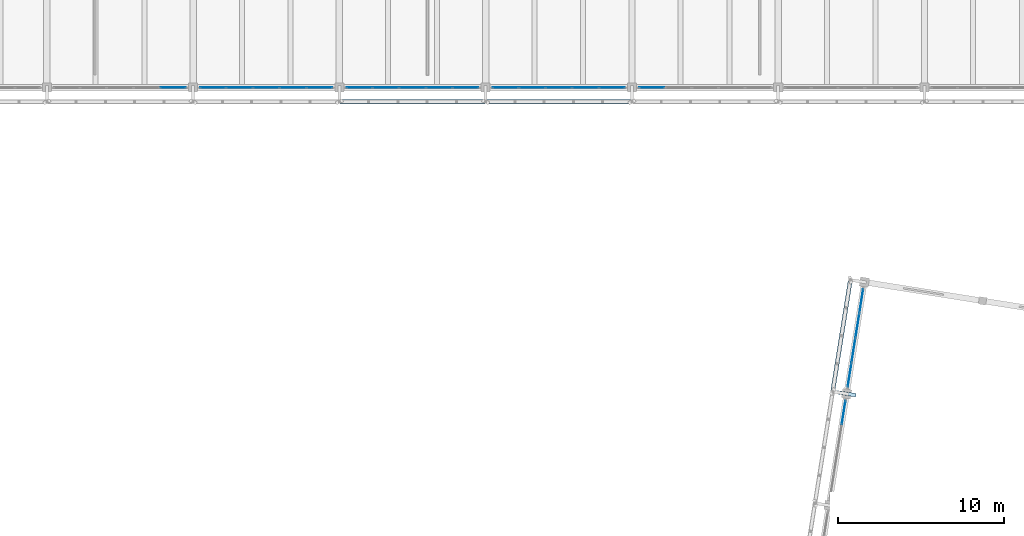
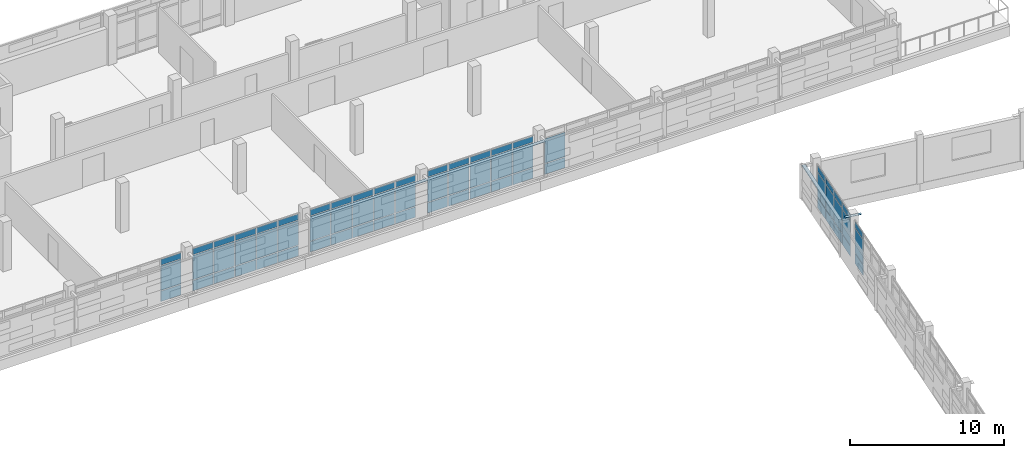
# One storey, part 89 of 117: 69 plates, 7 elements without a shape of their own.
"""IFC4 building model written with IfcOpenShell, lengths in metres."""

from ifc_helpers import new_model, si_unit, direction, frame, origin, origin_2d, place, context, subcontext, project, spatial, rectangle, extrude, material, layer, layer_set, type_object, element, aggregate, save


model = new_model("IFC4")

# Units and contexts
model_context = context("Model", 3, precision=1e-05, world=origin(), true_north=direction((0.0, 1.0)))
body_context = subcontext(model_context, "Body", "Model", "MODEL_VIEW")
ifc_project = project(units=[si_unit("LENGTHUNIT", "METRE"), si_unit("AREAUNIT", "SQUARE_METRE"), si_unit("VOLUMEUNIT", "CUBIC_METRE"), si_unit("PLANEANGLEUNIT", "RADIAN"), si_unit("MASSUNIT", "GRAM", prefix="KILO")], contexts=[model_context])

# Site, building, storey
site_placement = place(None, origin())
site = spatial("IfcSite", under=ifc_project, at=site_placement, CompositionType="ELEMENT")
building_placement = place(site_placement, origin())
building = spatial("IfcBuilding", under=site, at=building_placement, Name="Cinderway Yard Community Centre", CompositionType="ELEMENT")
storey_placement = place(building_placement, frame((0.0, 0.0, 9.0)))
storey = spatial("IfcBuildingStorey", under=building, at=storey_placement, Name="L02", CompositionType="ELEMENT", Elevation=9.0)

# Curtain wall, plates
ifc_material_1 = material(Name="Aluminium 6063-T6", Category="aluminium")
curtain_wall_type_1 = type_object("IfcCurtainWallType", Name="ENV-CW-TYPE-30", PredefinedType="USERDEFINED", material=ifc_material_1)
curtain_wall_1_placement = place(storey_placement, origin())
curtain_wall_1 = element("IfcCurtainWall", 1, at=curtain_wall_1_placement, inside=storey, type_object=curtain_wall_type_1, Name="V4 Courtyard Curtain Wall ENV-CW-L02-ST-0149", ObjectType="GLAZED CURTAIN WALL", PredefinedType="USERDEFINED")
ifc_material_2 = material(Name="Laminated Low-E Glass", Category="glass")
ifc_layer_1 = layer(ifc_material_2, 0.028076171875, Name="Laminated Low-E Glass")
ifc_layer_set_1 = layer_set([ifc_layer_1], Name="Laminated Low-E Glass")
plate_type_1 = type_object("IfcPlateType", Name="ENV-CW-PAN-IGU28", PredefinedType="CURTAIN_PANEL", material=ifc_layer_set_1)
plate_1_placement = place(storey_placement, frame((82.801025390625, 90.0, 0.06005859375), z_axis=(0.0, 0.0, 1.0), x_axis=(1.0, 0.0, 0.0)))
plate_1 = element("IfcPlate", 2, at=plate_1_placement, type_object=plate_type_1, Name="CW-30 panel 5.1", PredefinedType="CURTAIN_PANEL", context=body_context, shape_type="SweptSolid", body=[
    extrude(rectangle(XDim=1.51806640625, YDim=0.028076171875, at=origin_2d()), origin(), (0.0, 0.0, 1.0), 0.81005859375),
])
plate_2_placement = place(storey_placement, frame((82.801025390625, 90.0, 0.929931640625), z_axis=(0.0, 0.0, 1.0), x_axis=(1.0, 0.0, 0.0)))
plate_2 = element("IfcPlate", 3, at=plate_2_placement, type_object=plate_type_1, Name="CW-30 panel 5.2", PredefinedType="CURTAIN_PANEL", context=body_context, shape_type="SweptSolid", body=[
    extrude(rectangle(XDim=1.51806640625, YDim=0.028076171875, at=origin_2d()), origin(), (0.0, 0.0, 1.0), 1.93994140625),
])
plate_3_placement = place(storey_placement, frame((82.801025390625, 90.0, 2.929931640625), z_axis=(0.0, 0.0, 1.0), x_axis=(1.0, 0.0, 0.0)))
plate_3 = element("IfcPlate", 4, at=plate_3_placement, type_object=plate_type_1, Name="CW-30 panel 5.3", PredefinedType="CURTAIN_PANEL", context=body_context, shape_type="SweptSolid", body=[
    extrude(rectangle(XDim=1.51806640625, YDim=0.028076171875, at=origin_2d()), origin(), (0.0, 0.0, 1.0), 0.4599609375),
])
aggregate(curtain_wall_1, [plate_1, plate_2, plate_3])

curtain_wall_2_placement = place(storey_placement, origin())
curtain_wall_2 = element("IfcCurtainWall", 5, at=curtain_wall_2_placement, inside=storey, type_object=curtain_wall_type_1, Name="V4 Courtyard Curtain Wall ENV-CW-L02-ST-0150", ObjectType="GLAZED CURTAIN WALL", PredefinedType="USERDEFINED")
plate_4_placement = place(storey_placement, frame((85.198974609375, 90.0, 0.06005859375), z_axis=(0.0, 0.0, 1.0), x_axis=(1.0, 0.0, 0.0)))
plate_4 = element("IfcPlate", 6, at=plate_4_placement, type_object=plate_type_1, Name="CW-30 panel 1.1", PredefinedType="CURTAIN_PANEL", context=body_context, shape_type="SweptSolid", body=[
    extrude(rectangle(XDim=1.51806640625, YDim=0.028076171875, at=origin_2d()), origin(), (0.0, 0.0, 1.0), 0.81005859375),
])
plate_5_placement = place(storey_placement, frame((85.198974609375, 90.0, 0.929931640625), z_axis=(0.0, 0.0, 1.0), x_axis=(1.0, 0.0, 0.0)))
plate_5 = element("IfcPlate", 7, at=plate_5_placement, type_object=plate_type_1, Name="CW-30 panel 1.2", PredefinedType="CURTAIN_PANEL", context=body_context, shape_type="SweptSolid", body=[
    extrude(rectangle(XDim=1.51806640625, YDim=0.028076171875, at=origin_2d()), origin(), (0.0, 0.0, 1.0), 1.93994140625),
])
plate_6_placement = place(storey_placement, frame((85.198974609375, 90.0, 2.929931640625), z_axis=(0.0, 0.0, 1.0), x_axis=(1.0, 0.0, 0.0)))
plate_6 = element("IfcPlate", 8, at=plate_6_placement, type_object=plate_type_1, Name="CW-30 panel 1.3", PredefinedType="CURTAIN_PANEL", context=body_context, shape_type="SweptSolid", body=[
    extrude(rectangle(XDim=1.51806640625, YDim=0.028076171875, at=origin_2d()), origin(), (0.0, 0.0, 1.0), 0.4599609375),
])
plate_7_placement = place(storey_placement, frame((86.7919921875, 90.0, 0.06005859375), z_axis=(0.0, 0.0, 1.0), x_axis=(1.0, 0.0, 0.0)))
plate_7 = element("IfcPlate", 9, at=plate_7_placement, type_object=plate_type_1, Name="CW-30 panel 2.1", PredefinedType="CURTAIN_PANEL", context=body_context, shape_type="SweptSolid", body=[
    extrude(rectangle(XDim=1.548095703125, YDim=0.028076171875, at=origin_2d()), origin(), (0.0, 0.0, 1.0), 0.81005859375),
])
plate_8_placement = place(storey_placement, frame((86.7919921875, 90.0, 0.929931640625), z_axis=(0.0, 0.0, 1.0), x_axis=(1.0, 0.0, 0.0)))
plate_8 = element("IfcPlate", 10, at=plate_8_placement, type_object=plate_type_1, Name="CW-30 panel 2.2", PredefinedType="CURTAIN_PANEL", context=body_context, shape_type="SweptSolid", body=[
    extrude(rectangle(XDim=1.548095703125, YDim=0.028076171875, at=origin_2d()), origin(), (0.0, 0.0, 1.0), 1.93994140625),
])
plate_9_placement = place(storey_placement, frame((86.7919921875, 90.0, 2.929931640625), z_axis=(0.0, 0.0, 1.0), x_axis=(1.0, 0.0, 0.0)))
plate_9 = element("IfcPlate", 11, at=plate_9_placement, type_object=plate_type_1, Name="CW-30 panel 2.3", PredefinedType="CURTAIN_PANEL", context=body_context, shape_type="SweptSolid", body=[
    extrude(rectangle(XDim=1.548095703125, YDim=0.028076171875, at=origin_2d()), origin(), (0.0, 0.0, 1.0), 0.4599609375),
])
plate_10_placement = place(storey_placement, frame((88.39990234375, 90.0, 0.06005859375), z_axis=(0.0, 0.0, 1.0), x_axis=(1.0, 0.0, 0.0)))
plate_10 = element("IfcPlate", 12, at=plate_10_placement, type_object=plate_type_1, Name="CW-30 panel 3.1", PredefinedType="CURTAIN_PANEL", context=body_context, shape_type="SweptSolid", body=[
    extrude(rectangle(XDim=1.548095703125, YDim=0.028076171875, at=origin_2d()), origin(), (0.0, 0.0, 1.0), 0.81005859375),
])
plate_11_placement = place(storey_placement, frame((88.39990234375, 90.0, 0.929931640625), z_axis=(0.0, 0.0, 1.0), x_axis=(1.0, 0.0, 0.0)))
plate_11 = element("IfcPlate", 13, at=plate_11_placement, type_object=plate_type_1, Name="CW-30 panel 3.2", PredefinedType="CURTAIN_PANEL", context=body_context, shape_type="SweptSolid", body=[
    extrude(rectangle(XDim=1.548095703125, YDim=0.028076171875, at=origin_2d()), origin(), (0.0, 0.0, 1.0), 1.93994140625),
])
plate_12_placement = place(storey_placement, frame((88.39990234375, 90.0, 2.929931640625), z_axis=(0.0, 0.0, 1.0), x_axis=(1.0, 0.0, 0.0)))
plate_12 = element("IfcPlate", 14, at=plate_12_placement, type_object=plate_type_1, Name="CW-30 panel 3.3", PredefinedType="CURTAIN_PANEL", context=body_context, shape_type="SweptSolid", body=[
    extrude(rectangle(XDim=1.548095703125, YDim=0.028076171875, at=origin_2d()), origin(), (0.0, 0.0, 1.0), 0.4599609375),
])
plate_13_placement = place(storey_placement, frame((90.008056640625, 90.0, 0.06005859375), z_axis=(0.0, 0.0, 1.0), x_axis=(1.0, 0.0, 0.0)))
plate_13 = element("IfcPlate", 15, at=plate_13_placement, type_object=plate_type_1, Name="CW-30 panel 4.1", PredefinedType="CURTAIN_PANEL", context=body_context, shape_type="SweptSolid", body=[
    extrude(rectangle(XDim=1.548095703125, YDim=0.028076171875, at=origin_2d()), origin(), (0.0, 0.0, 1.0), 0.81005859375),
])
plate_14_placement = place(storey_placement, frame((90.008056640625, 90.0, 0.929931640625), z_axis=(0.0, 0.0, 1.0), x_axis=(1.0, 0.0, 0.0)))
plate_14 = element("IfcPlate", 16, at=plate_14_placement, type_object=plate_type_1, Name="CW-30 panel 4.2", PredefinedType="CURTAIN_PANEL", context=body_context, shape_type="SweptSolid", body=[
    extrude(rectangle(XDim=1.548095703125, YDim=0.028076171875, at=origin_2d()), origin(), (0.0, 0.0, 1.0), 1.93994140625),
])
plate_15_placement = place(storey_placement, frame((90.008056640625, 90.0, 2.929931640625), z_axis=(0.0, 0.0, 1.0), x_axis=(1.0, 0.0, 0.0)))
plate_15 = element("IfcPlate", 17, at=plate_15_placement, type_object=plate_type_1, Name="CW-30 panel 4.3", PredefinedType="CURTAIN_PANEL", context=body_context, shape_type="SweptSolid", body=[
    extrude(rectangle(XDim=1.548095703125, YDim=0.028076171875, at=origin_2d()), origin(), (0.0, 0.0, 1.0), 0.4599609375),
])
plate_16_placement = place(storey_placement, frame((91.60107421875, 90.0, 0.06005859375), z_axis=(0.0, 0.0, 1.0), x_axis=(1.0, 0.0, 0.0)))
plate_16 = element("IfcPlate", 18, at=plate_16_placement, type_object=plate_type_1, Name="CW-30 panel 5.1", PredefinedType="CURTAIN_PANEL", context=body_context, shape_type="SweptSolid", body=[
    extrude(rectangle(XDim=1.51806640625, YDim=0.028076171875, at=origin_2d()), origin(), (0.0, 0.0, 1.0), 0.81005859375),
])
plate_17_placement = place(storey_placement, frame((91.60107421875, 90.0, 0.929931640625), z_axis=(0.0, 0.0, 1.0), x_axis=(1.0, 0.0, 0.0)))
plate_17 = element("IfcPlate", 19, at=plate_17_placement, type_object=plate_type_1, Name="CW-30 panel 5.2", PredefinedType="CURTAIN_PANEL", context=body_context, shape_type="SweptSolid", body=[
    extrude(rectangle(XDim=1.51806640625, YDim=0.028076171875, at=origin_2d()), origin(), (0.0, 0.0, 1.0), 1.93994140625),
])
plate_18_placement = place(storey_placement, frame((91.60107421875, 90.0, 2.929931640625), z_axis=(0.0, 0.0, 1.0), x_axis=(1.0, 0.0, 0.0)))
plate_18 = element("IfcPlate", 20, at=plate_18_placement, type_object=plate_type_1, Name="CW-30 panel 5.3", PredefinedType="CURTAIN_PANEL", context=body_context, shape_type="SweptSolid", body=[
    extrude(rectangle(XDim=1.51806640625, YDim=0.028076171875, at=origin_2d()), origin(), (0.0, 0.0, 1.0), 0.4599609375),
])
aggregate(curtain_wall_2, [plate_4, plate_5, plate_6, plate_7, plate_8, plate_9, plate_10, plate_11, plate_12, plate_13, plate_14, plate_15, plate_16, plate_17, plate_18])

curtain_wall_3_placement = place(storey_placement, origin())
curtain_wall_3 = element("IfcCurtainWall", 21, at=curtain_wall_3_placement, inside=storey, type_object=curtain_wall_type_1, Name="V4 Courtyard Curtain Wall ENV-CW-L02-ST-0152", ObjectType="GLAZED CURTAIN WALL", PredefinedType="USERDEFINED")
plate_19_placement = place(storey_placement, frame((93.9990234375, 90.0, 0.06005859375), z_axis=(0.0, 0.0, 1.0), x_axis=(1.0, 0.0, 0.0)))
plate_19 = element("IfcPlate", 22, at=plate_19_placement, type_object=plate_type_1, Name="CW-30 panel 1.1", PredefinedType="CURTAIN_PANEL", context=body_context, shape_type="SweptSolid", body=[
    extrude(rectangle(XDim=1.51806640625, YDim=0.028076171875, at=origin_2d()), origin(), (0.0, 0.0, 1.0), 0.81005859375),
])
plate_20_placement = place(storey_placement, frame((93.9990234375, 90.0, 0.929931640625), z_axis=(0.0, 0.0, 1.0), x_axis=(1.0, 0.0, 0.0)))
plate_20 = element("IfcPlate", 23, at=plate_20_placement, type_object=plate_type_1, Name="CW-30 panel 1.2", PredefinedType="CURTAIN_PANEL", context=body_context, shape_type="SweptSolid", body=[
    extrude(rectangle(XDim=1.51806640625, YDim=0.028076171875, at=origin_2d()), origin(), (0.0, 0.0, 1.0), 1.93994140625),
])
plate_21_placement = place(storey_placement, frame((93.9990234375, 90.0, 2.929931640625), z_axis=(0.0, 0.0, 1.0), x_axis=(1.0, 0.0, 0.0)))
plate_21 = element("IfcPlate", 24, at=plate_21_placement, type_object=plate_type_1, Name="CW-30 panel 1.3", PredefinedType="CURTAIN_PANEL", context=body_context, shape_type="SweptSolid", body=[
    extrude(rectangle(XDim=1.51806640625, YDim=0.028076171875, at=origin_2d()), origin(), (0.0, 0.0, 1.0), 0.4599609375),
])
plate_22_placement = place(storey_placement, frame((95.592041015625, 90.0, 0.06005859375), z_axis=(0.0, 0.0, 1.0), x_axis=(1.0, 0.0, 0.0)))
plate_22 = element("IfcPlate", 25, at=plate_22_placement, type_object=plate_type_1, Name="CW-30 panel 2.1", PredefinedType="CURTAIN_PANEL", context=body_context, shape_type="SweptSolid", body=[
    extrude(rectangle(XDim=1.548095703125, YDim=0.028076171875, at=origin_2d()), origin(), (0.0, 0.0, 1.0), 0.81005859375),
])
plate_23_placement = place(storey_placement, frame((95.592041015625, 90.0, 0.929931640625), z_axis=(0.0, 0.0, 1.0), x_axis=(1.0, 0.0, 0.0)))
plate_23 = element("IfcPlate", 26, at=plate_23_placement, type_object=plate_type_1, Name="CW-30 panel 2.2", PredefinedType="CURTAIN_PANEL", context=body_context, shape_type="SweptSolid", body=[
    extrude(rectangle(XDim=1.548095703125, YDim=0.028076171875, at=origin_2d()), origin(), (0.0, 0.0, 1.0), 1.93994140625),
])
plate_24_placement = place(storey_placement, frame((95.592041015625, 90.0, 2.929931640625), z_axis=(0.0, 0.0, 1.0), x_axis=(1.0, 0.0, 0.0)))
plate_24 = element("IfcPlate", 27, at=plate_24_placement, type_object=plate_type_1, Name="CW-30 panel 2.3", PredefinedType="CURTAIN_PANEL", context=body_context, shape_type="SweptSolid", body=[
    extrude(rectangle(XDim=1.548095703125, YDim=0.028076171875, at=origin_2d()), origin(), (0.0, 0.0, 1.0), 0.4599609375),
])
plate_25_placement = place(storey_placement, frame((97.199951171875, 90.0, 0.06005859375), z_axis=(0.0, 0.0, 1.0), x_axis=(1.0, 0.0, 0.0)))
plate_25 = element("IfcPlate", 28, at=plate_25_placement, type_object=plate_type_1, Name="CW-30 panel 3.1", PredefinedType="CURTAIN_PANEL", context=body_context, shape_type="SweptSolid", body=[
    extrude(rectangle(XDim=1.548095703125, YDim=0.028076171875, at=origin_2d()), origin(), (0.0, 0.0, 1.0), 0.81005859375),
])
plate_26_placement = place(storey_placement, frame((97.199951171875, 90.0, 0.929931640625), z_axis=(0.0, 0.0, 1.0), x_axis=(1.0, 0.0, 0.0)))
plate_26 = element("IfcPlate", 29, at=plate_26_placement, type_object=plate_type_1, Name="CW-30 panel 3.2", PredefinedType="CURTAIN_PANEL", context=body_context, shape_type="SweptSolid", body=[
    extrude(rectangle(XDim=1.548095703125, YDim=0.028076171875, at=origin_2d()), origin(), (0.0, 0.0, 1.0), 1.93994140625),
])
plate_27_placement = place(storey_placement, frame((97.199951171875, 90.0, 2.929931640625), z_axis=(0.0, 0.0, 1.0), x_axis=(1.0, 0.0, 0.0)))
plate_27 = element("IfcPlate", 30, at=plate_27_placement, type_object=plate_type_1, Name="CW-30 panel 3.3", PredefinedType="CURTAIN_PANEL", context=body_context, shape_type="SweptSolid", body=[
    extrude(rectangle(XDim=1.548095703125, YDim=0.028076171875, at=origin_2d()), origin(), (0.0, 0.0, 1.0), 0.4599609375),
])
plate_28_placement = place(storey_placement, frame((98.80810546875, 90.0, 0.06005859375), z_axis=(0.0, 0.0, 1.0), x_axis=(1.0, 0.0, 0.0)))
plate_28 = element("IfcPlate", 31, at=plate_28_placement, type_object=plate_type_1, Name="CW-30 panel 4.1", PredefinedType="CURTAIN_PANEL", context=body_context, shape_type="SweptSolid", body=[
    extrude(rectangle(XDim=1.548095703125, YDim=0.028076171875, at=origin_2d()), origin(), (0.0, 0.0, 1.0), 0.81005859375),
])
plate_29_placement = place(storey_placement, frame((98.80810546875, 90.0, 0.929931640625), z_axis=(0.0, 0.0, 1.0), x_axis=(1.0, 0.0, 0.0)))
plate_29 = element("IfcPlate", 32, at=plate_29_placement, type_object=plate_type_1, Name="CW-30 panel 4.2", PredefinedType="CURTAIN_PANEL", context=body_context, shape_type="SweptSolid", body=[
    extrude(rectangle(XDim=1.548095703125, YDim=0.028076171875, at=origin_2d()), origin(), (0.0, 0.0, 1.0), 1.93994140625),
])
plate_30_placement = place(storey_placement, frame((98.80810546875, 90.0, 2.929931640625), z_axis=(0.0, 0.0, 1.0), x_axis=(1.0, 0.0, 0.0)))
plate_30 = element("IfcPlate", 33, at=plate_30_placement, type_object=plate_type_1, Name="CW-30 panel 4.3", PredefinedType="CURTAIN_PANEL", context=body_context, shape_type="SweptSolid", body=[
    extrude(rectangle(XDim=1.548095703125, YDim=0.028076171875, at=origin_2d()), origin(), (0.0, 0.0, 1.0), 0.4599609375),
])
plate_31_placement = place(storey_placement, frame((100.40087890625, 90.0, 0.06005859375), z_axis=(0.0, 0.0, 1.0), x_axis=(1.0, 0.0, 0.0)))
plate_31 = element("IfcPlate", 34, at=plate_31_placement, type_object=plate_type_1, Name="CW-30 panel 5.1", PredefinedType="CURTAIN_PANEL", context=body_context, shape_type="SweptSolid", body=[
    extrude(rectangle(XDim=1.51806640625, YDim=0.028076171875, at=origin_2d()), origin(), (0.0, 0.0, 1.0), 0.81005859375),
])
plate_32_placement = place(storey_placement, frame((100.40087890625, 90.0, 0.929931640625), z_axis=(0.0, 0.0, 1.0), x_axis=(1.0, 0.0, 0.0)))
plate_32 = element("IfcPlate", 35, at=plate_32_placement, type_object=plate_type_1, Name="CW-30 panel 5.2", PredefinedType="CURTAIN_PANEL", context=body_context, shape_type="SweptSolid", body=[
    extrude(rectangle(XDim=1.51806640625, YDim=0.028076171875, at=origin_2d()), origin(), (0.0, 0.0, 1.0), 1.93994140625),
])
plate_33_placement = place(storey_placement, frame((100.40087890625, 90.0, 2.929931640625), z_axis=(0.0, 0.0, 1.0), x_axis=(1.0, 0.0, 0.0)))
plate_33 = element("IfcPlate", 36, at=plate_33_placement, type_object=plate_type_1, Name="CW-30 panel 5.3", PredefinedType="CURTAIN_PANEL", context=body_context, shape_type="SweptSolid", body=[
    extrude(rectangle(XDim=1.51806640625, YDim=0.028076171875, at=origin_2d()), origin(), (0.0, 0.0, 1.0), 0.4599609375),
])
aggregate(curtain_wall_3, [plate_19, plate_20, plate_21, plate_22, plate_23, plate_24, plate_25, plate_26, plate_27, plate_28, plate_29, plate_30, plate_31, plate_32, plate_33])

curtain_wall_4_placement = place(storey_placement, origin())
curtain_wall_4 = element("IfcCurtainWall", 37, at=curtain_wall_4_placement, inside=storey, type_object=curtain_wall_type_1, Name="V4 Courtyard Curtain Wall ENV-CW-L02-ST-0153", ObjectType="GLAZED CURTAIN WALL", PredefinedType="USERDEFINED")
plate_34_placement = place(storey_placement, frame((102.799072265625, 90.0, 0.06005859375), z_axis=(0.0, 0.0, 1.0), x_axis=(1.0, 0.0, 0.0)))
plate_34 = element("IfcPlate", 38, at=plate_34_placement, type_object=plate_type_1, Name="CW-30 panel 1.1", PredefinedType="CURTAIN_PANEL", context=body_context, shape_type="SweptSolid", body=[
    extrude(rectangle(XDim=1.51806640625, YDim=0.028076171875, at=origin_2d()), origin(), (0.0, 0.0, 1.0), 0.81005859375),
])
plate_35_placement = place(storey_placement, frame((102.799072265625, 90.0, 0.929931640625), z_axis=(0.0, 0.0, 1.0), x_axis=(1.0, 0.0, 0.0)))
plate_35 = element("IfcPlate", 39, at=plate_35_placement, type_object=plate_type_1, Name="CW-30 panel 1.2", PredefinedType="CURTAIN_PANEL", context=body_context, shape_type="SweptSolid", body=[
    extrude(rectangle(XDim=1.51806640625, YDim=0.028076171875, at=origin_2d()), origin(), (0.0, 0.0, 1.0), 1.93994140625),
])
plate_36_placement = place(storey_placement, frame((102.799072265625, 90.0, 2.929931640625), z_axis=(0.0, 0.0, 1.0), x_axis=(1.0, 0.0, 0.0)))
plate_36 = element("IfcPlate", 40, at=plate_36_placement, type_object=plate_type_1, Name="CW-30 panel 1.3", PredefinedType="CURTAIN_PANEL", context=body_context, shape_type="SweptSolid", body=[
    extrude(rectangle(XDim=1.51806640625, YDim=0.028076171875, at=origin_2d()), origin(), (0.0, 0.0, 1.0), 0.4599609375),
])
plate_37_placement = place(storey_placement, frame((104.39208984375, 90.0, 0.06005859375), z_axis=(0.0, 0.0, 1.0), x_axis=(1.0, 0.0, 0.0)))
plate_37 = element("IfcPlate", 41, at=plate_37_placement, type_object=plate_type_1, Name="CW-30 panel 2.1", PredefinedType="CURTAIN_PANEL", context=body_context, shape_type="SweptSolid", body=[
    extrude(rectangle(XDim=1.548095703125, YDim=0.028076171875, at=origin_2d()), origin(), (0.0, 0.0, 1.0), 0.81005859375),
])
plate_38_placement = place(storey_placement, frame((104.39208984375, 90.0, 0.929931640625), z_axis=(0.0, 0.0, 1.0), x_axis=(1.0, 0.0, 0.0)))
plate_38 = element("IfcPlate", 42, at=plate_38_placement, type_object=plate_type_1, Name="CW-30 panel 2.2", PredefinedType="CURTAIN_PANEL", context=body_context, shape_type="SweptSolid", body=[
    extrude(rectangle(XDim=1.548095703125, YDim=0.028076171875, at=origin_2d()), origin(), (0.0, 0.0, 1.0), 1.93994140625),
])
plate_39_placement = place(storey_placement, frame((104.39208984375, 90.0, 2.929931640625), z_axis=(0.0, 0.0, 1.0), x_axis=(1.0, 0.0, 0.0)))
plate_39 = element("IfcPlate", 43, at=plate_39_placement, type_object=plate_type_1, Name="CW-30 panel 2.3", PredefinedType="CURTAIN_PANEL", context=body_context, shape_type="SweptSolid", body=[
    extrude(rectangle(XDim=1.548095703125, YDim=0.028076171875, at=origin_2d()), origin(), (0.0, 0.0, 1.0), 0.4599609375),
])
plate_40_placement = place(storey_placement, frame((106.0, 90.0, 0.06005859375), z_axis=(0.0, 0.0, 1.0), x_axis=(1.0, 0.0, 0.0)))
plate_40 = element("IfcPlate", 44, at=plate_40_placement, type_object=plate_type_1, Name="CW-30 panel 3.1", PredefinedType="CURTAIN_PANEL", context=body_context, shape_type="SweptSolid", body=[
    extrude(rectangle(XDim=1.548095703125, YDim=0.028076171875, at=origin_2d()), origin(), (0.0, 0.0, 1.0), 0.81005859375),
])
plate_41_placement = place(storey_placement, frame((106.0, 90.0, 0.929931640625), z_axis=(0.0, 0.0, 1.0), x_axis=(1.0, 0.0, 0.0)))
plate_41 = element("IfcPlate", 45, at=plate_41_placement, type_object=plate_type_1, Name="CW-30 panel 3.2", PredefinedType="CURTAIN_PANEL", context=body_context, shape_type="SweptSolid", body=[
    extrude(rectangle(XDim=1.548095703125, YDim=0.028076171875, at=origin_2d()), origin(), (0.0, 0.0, 1.0), 1.93994140625),
])
plate_42_placement = place(storey_placement, frame((106.0, 90.0, 2.929931640625), z_axis=(0.0, 0.0, 1.0), x_axis=(1.0, 0.0, 0.0)))
plate_42 = element("IfcPlate", 46, at=plate_42_placement, type_object=plate_type_1, Name="CW-30 panel 3.3", PredefinedType="CURTAIN_PANEL", context=body_context, shape_type="SweptSolid", body=[
    extrude(rectangle(XDim=1.548095703125, YDim=0.028076171875, at=origin_2d()), origin(), (0.0, 0.0, 1.0), 0.4599609375),
])
plate_43_placement = place(storey_placement, frame((107.60791015625, 90.0, 0.06005859375), z_axis=(0.0, 0.0, 1.0), x_axis=(1.0, 0.0, 0.0)))
plate_43 = element("IfcPlate", 47, at=plate_43_placement, type_object=plate_type_1, Name="CW-30 panel 4.1", PredefinedType="CURTAIN_PANEL", context=body_context, shape_type="SweptSolid", body=[
    extrude(rectangle(XDim=1.548095703125, YDim=0.028076171875, at=origin_2d()), origin(), (0.0, 0.0, 1.0), 0.81005859375),
])
plate_44_placement = place(storey_placement, frame((107.60791015625, 90.0, 0.929931640625), z_axis=(0.0, 0.0, 1.0), x_axis=(1.0, 0.0, 0.0)))
plate_44 = element("IfcPlate", 48, at=plate_44_placement, type_object=plate_type_1, Name="CW-30 panel 4.2", PredefinedType="CURTAIN_PANEL", context=body_context, shape_type="SweptSolid", body=[
    extrude(rectangle(XDim=1.548095703125, YDim=0.028076171875, at=origin_2d()), origin(), (0.0, 0.0, 1.0), 1.93994140625),
])
plate_45_placement = place(storey_placement, frame((107.60791015625, 90.0, 2.929931640625), z_axis=(0.0, 0.0, 1.0), x_axis=(1.0, 0.0, 0.0)))
plate_45 = element("IfcPlate", 49, at=plate_45_placement, type_object=plate_type_1, Name="CW-30 panel 4.3", PredefinedType="CURTAIN_PANEL", context=body_context, shape_type="SweptSolid", body=[
    extrude(rectangle(XDim=1.548095703125, YDim=0.028076171875, at=origin_2d()), origin(), (0.0, 0.0, 1.0), 0.4599609375),
])
plate_46_placement = place(storey_placement, frame((109.200927734375, 90.0, 0.06005859375), z_axis=(0.0, 0.0, 1.0), x_axis=(1.0, 0.0, 0.0)))
plate_46 = element("IfcPlate", 50, at=plate_46_placement, type_object=plate_type_1, Name="CW-30 panel 5.1", PredefinedType="CURTAIN_PANEL", context=body_context, shape_type="SweptSolid", body=[
    extrude(rectangle(XDim=1.51806640625, YDim=0.028076171875, at=origin_2d()), origin(), (0.0, 0.0, 1.0), 0.81005859375),
])
plate_47_placement = place(storey_placement, frame((109.200927734375, 90.0, 0.929931640625), z_axis=(0.0, 0.0, 1.0), x_axis=(1.0, 0.0, 0.0)))
plate_47 = element("IfcPlate", 51, at=plate_47_placement, type_object=plate_type_1, Name="CW-30 panel 5.2", PredefinedType="CURTAIN_PANEL", context=body_context, shape_type="SweptSolid", body=[
    extrude(rectangle(XDim=1.51806640625, YDim=0.028076171875, at=origin_2d()), origin(), (0.0, 0.0, 1.0), 1.93994140625),
])
plate_48_placement = place(storey_placement, frame((109.200927734375, 90.0, 2.929931640625), z_axis=(0.0, 0.0, 1.0), x_axis=(1.0, 0.0, 0.0)))
plate_48 = element("IfcPlate", 52, at=plate_48_placement, type_object=plate_type_1, Name="CW-30 panel 5.3", PredefinedType="CURTAIN_PANEL", context=body_context, shape_type="SweptSolid", body=[
    extrude(rectangle(XDim=1.51806640625, YDim=0.028076171875, at=origin_2d()), origin(), (0.0, 0.0, 1.0), 0.4599609375),
])
aggregate(curtain_wall_4, [plate_34, plate_35, plate_36, plate_37, plate_38, plate_39, plate_40, plate_41, plate_42, plate_43, plate_44, plate_45, plate_46, plate_47, plate_48])

curtain_wall_5_placement = place(storey_placement, origin())
curtain_wall_5 = element("IfcCurtainWall", 53, at=curtain_wall_5_placement, inside=storey, type_object=curtain_wall_type_1, Name="V4 Courtyard Curtain Wall ENV-CW-L02-ST-0155", ObjectType="GLAZED CURTAIN WALL", PredefinedType="USERDEFINED")
plate_49_placement = place(storey_placement, frame((111.59912109375, 90.0, 0.06005859375), z_axis=(0.0, 0.0, 1.0), x_axis=(1.0, 0.0, 0.0)))
plate_49 = element("IfcPlate", 54, at=plate_49_placement, type_object=plate_type_1, Name="CW-30 panel 1.1", PredefinedType="CURTAIN_PANEL", context=body_context, shape_type="SweptSolid", body=[
    extrude(rectangle(XDim=1.51806640625, YDim=0.028076171875, at=origin_2d()), origin(), (0.0, 0.0, 1.0), 0.81005859375),
])
plate_50_placement = place(storey_placement, frame((111.59912109375, 90.0, 0.929931640625), z_axis=(0.0, 0.0, 1.0), x_axis=(1.0, 0.0, 0.0)))
plate_50 = element("IfcPlate", 55, at=plate_50_placement, type_object=plate_type_1, Name="CW-30 panel 1.2", PredefinedType="CURTAIN_PANEL", context=body_context, shape_type="SweptSolid", body=[
    extrude(rectangle(XDim=1.51806640625, YDim=0.028076171875, at=origin_2d()), origin(), (0.0, 0.0, 1.0), 1.93994140625),
])
aggregate(curtain_wall_5, [plate_49, plate_50])

curtain_wall_type_2 = type_object("IfcCurtainWallType", Name="ENV-CW-TYPE-17", PredefinedType="USERDEFINED", material=ifc_material_1)
curtain_wall_6_placement = place(storey_placement, origin())
curtain_wall_6 = element("IfcCurtainWall", 56, at=curtain_wall_6_placement, inside=storey, type_object=curtain_wall_type_2, Name="Sports Hall Courtyard Curtain Wall ENV-CW-L02-HS-0064", ObjectType="GLAZED CURTAIN WALL", PredefinedType="USERDEFINED")
ifc_layer_2 = layer(ifc_material_2, 0.031982421875, Name="Laminated Low-E Glass")
ifc_layer_set_2 = layer_set([ifc_layer_2], Name="Laminated Low-E Glass")
plate_type_2 = type_object("IfcPlateType", Name="ENV-CW-PAN-IGU32", PredefinedType="CURTAIN_PANEL", material=ifc_layer_set_2)
plate_51_placement = place(storey_placement, frame((123.139404296875, 70.445556640625, 0.06005859375), z_axis=(0.0, 0.0, 1.0), x_axis=(0.156608625643, 0.987660740525, 0.0)))
plate_51 = element("IfcPlate", 57, at=plate_51_placement, type_object=plate_type_2, Name="CW-17 panel 4.1", PredefinedType="CURTAIN_PANEL", context=body_context, shape_type="SweptSolid", body=[
    extrude(rectangle(XDim=1.420166015625, YDim=0.028076171875, at=origin_2d()), origin(), (0.0, 0.0, 1.0), 0.81005859375),
])
plate_52_placement = place(storey_placement, frame((123.139404296875, 70.445556640625, 0.929931640625), z_axis=(0.0, 0.0, 1.0), x_axis=(0.156608625643, 0.987660740525, 0.0)))
plate_52 = element("IfcPlate", 58, at=plate_52_placement, type_object=plate_type_2, Name="CW-17 panel 4.2", PredefinedType="CURTAIN_PANEL", context=body_context, shape_type="SweptSolid", body=[
    extrude(rectangle(XDim=1.420166015625, YDim=0.028076171875, at=origin_2d()), origin(), (0.0, 0.0, 1.0), 1.93994140625),
])
plate_53_placement = place(storey_placement, frame((123.139404296875, 70.445556640625, 2.929931640625), z_axis=(0.0, 0.0, 1.0), x_axis=(0.156608625643, 0.987660740525, 0.0)))
plate_53 = element("IfcPlate", 59, at=plate_53_placement, type_object=plate_type_2, Name="CW-17 panel 4.3", PredefinedType="CURTAIN_PANEL", context=body_context, shape_type="SweptSolid", body=[
    extrude(rectangle(XDim=1.420166015625, YDim=0.028076171875, at=origin_2d()), origin(), (0.0, 0.0, 1.0), 0.4599609375),
])
aggregate(curtain_wall_6, [plate_51, plate_52, plate_53])

curtain_wall_7_placement = place(storey_placement, origin())
curtain_wall_7 = element("IfcCurtainWall", 60, at=curtain_wall_7_placement, inside=storey, type_object=curtain_wall_type_2, Name="Sports Hall Courtyard Curtain Wall ENV-CW-L02-HS-0065", ObjectType="GLAZED CURTAIN WALL", PredefinedType="USERDEFINED")
plate_54_placement = place(storey_placement, frame((123.49853515625, 72.716796875, 0.06005859375), z_axis=(0.0, 0.0, 1.0), x_axis=(0.156583023401, 0.987664799809, 0.0)))
plate_54 = element("IfcPlate", 61, at=plate_54_placement, type_object=plate_type_2, Name="CW-17 panel 1.1", PredefinedType="CURTAIN_PANEL", context=body_context, shape_type="SweptSolid", body=[
    extrude(rectangle(XDim=1.42041015625, YDim=0.028076171875, at=origin_2d()), origin(), (0.0, 0.0, 1.0), 0.81005859375),
])
plate_55_placement = place(storey_placement, frame((123.49853515625, 72.716796875, 0.929931640625), z_axis=(0.0, 0.0, 1.0), x_axis=(0.156583023401, 0.987664799809, 0.0)))
plate_55 = element("IfcPlate", 62, at=plate_55_placement, type_object=plate_type_2, Name="CW-17 panel 1.2", PredefinedType="CURTAIN_PANEL", context=body_context, shape_type="SweptSolid", body=[
    extrude(rectangle(XDim=1.42041015625, YDim=0.028076171875, at=origin_2d()), origin(), (0.0, 0.0, 1.0), 1.93994140625),
])
plate_56_placement = place(storey_placement, frame((123.49853515625, 72.716796875, 2.929931640625), z_axis=(0.0, 0.0, 1.0), x_axis=(0.156583023401, 0.987664799809, 0.0)))
plate_56 = element("IfcPlate", 63, at=plate_56_placement, type_object=plate_type_2, Name="CW-17 panel 1.3", PredefinedType="CURTAIN_PANEL", context=body_context, shape_type="SweptSolid", body=[
    extrude(rectangle(XDim=1.42041015625, YDim=0.028076171875, at=origin_2d()), origin(), (0.0, 0.0, 1.0), 0.4599609375),
])
plate_57_placement = place(storey_placement, frame((123.732666015625, 74.193603515625, 0.06005859375), z_axis=(0.0, 0.0, 1.0), x_axis=(0.156583023401, 0.987664799809, 0.0)))
plate_57 = element("IfcPlate", 64, at=plate_57_placement, type_object=plate_type_2, Name="CW-17 panel 2.1", PredefinedType="CURTAIN_PANEL", context=body_context, shape_type="SweptSolid", body=[
    extrude(rectangle(XDim=1.450439453125, YDim=0.028076171875, at=origin_2d()), origin(), (0.0, 0.0, 1.0), 0.81005859375),
])
plate_58_placement = place(storey_placement, frame((123.732666015625, 74.193603515625, 0.929931640625), z_axis=(0.0, 0.0, 1.0), x_axis=(0.156583023401, 0.987664799809, 0.0)))
plate_58 = element("IfcPlate", 65, at=plate_58_placement, type_object=plate_type_2, Name="CW-17 panel 2.2", PredefinedType="CURTAIN_PANEL", context=body_context, shape_type="SweptSolid", body=[
    extrude(rectangle(XDim=1.450439453125, YDim=0.028076171875, at=origin_2d()), origin(), (0.0, 0.0, 1.0), 1.93994140625),
])
plate_59_placement = place(storey_placement, frame((123.732666015625, 74.193603515625, 2.929931640625), z_axis=(0.0, 0.0, 1.0), x_axis=(0.156583023401, 0.987664799809, 0.0)))
plate_59 = element("IfcPlate", 66, at=plate_59_placement, type_object=plate_type_2, Name="CW-17 panel 2.3", PredefinedType="CURTAIN_PANEL", context=body_context, shape_type="SweptSolid", body=[
    extrude(rectangle(XDim=1.450439453125, YDim=0.028076171875, at=origin_2d()), origin(), (0.0, 0.0, 1.0), 0.4599609375),
])
plate_60_placement = place(storey_placement, frame((123.96923828125, 75.685302734375, 0.06005859375), z_axis=(0.0, 0.0, 1.0), x_axis=(0.156583023401, 0.987664799809, 0.0)))
plate_60 = element("IfcPlate", 67, at=plate_60_placement, type_object=plate_type_2, Name="CW-17 panel 3.1", PredefinedType="CURTAIN_PANEL", context=body_context, shape_type="SweptSolid", body=[
    extrude(rectangle(XDim=1.450439453125, YDim=0.028076171875, at=origin_2d()), origin(), (0.0, 0.0, 1.0), 0.81005859375),
])
plate_61_placement = place(storey_placement, frame((123.96923828125, 75.685302734375, 0.929931640625), z_axis=(0.0, 0.0, 1.0), x_axis=(0.156583023401, 0.987664799809, 0.0)))
plate_61 = element("IfcPlate", 68, at=plate_61_placement, type_object=plate_type_2, Name="CW-17 panel 3.2", PredefinedType="CURTAIN_PANEL", context=body_context, shape_type="SweptSolid", body=[
    extrude(rectangle(XDim=1.450439453125, YDim=0.028076171875, at=origin_2d()), origin(), (0.0, 0.0, 1.0), 1.93994140625),
])
plate_62_placement = place(storey_placement, frame((123.96923828125, 75.685302734375, 2.929931640625), z_axis=(0.0, 0.0, 1.0), x_axis=(0.156583023401, 0.987664799809, 0.0)))
plate_62 = element("IfcPlate", 69, at=plate_62_placement, type_object=plate_type_2, Name="CW-17 panel 3.3", PredefinedType="CURTAIN_PANEL", context=body_context, shape_type="SweptSolid", body=[
    extrude(rectangle(XDim=1.450439453125, YDim=0.028076171875, at=origin_2d()), origin(), (0.0, 0.0, 1.0), 0.4599609375),
])
plate_63_placement = place(storey_placement, frame((124.203369140625, 77.162353515625, 0.06005859375), z_axis=(0.0, 0.0, 1.0), x_axis=(0.156583023401, 0.987664799809, 0.0)))
plate_63 = element("IfcPlate", 70, at=plate_63_placement, type_object=plate_type_2, Name="CW-17 panel 4.1", PredefinedType="CURTAIN_PANEL", context=body_context, shape_type="SweptSolid", body=[
    extrude(rectangle(XDim=1.42041015625, YDim=0.028076171875, at=origin_2d()), origin(), (0.0, 0.0, 1.0), 0.81005859375),
])
plate_64_placement = place(storey_placement, frame((124.203369140625, 77.162353515625, 0.929931640625), z_axis=(0.0, 0.0, 1.0), x_axis=(0.156583023401, 0.987664799809, 0.0)))
plate_64 = element("IfcPlate", 71, at=plate_64_placement, type_object=plate_type_2, Name="CW-17 panel 4.2", PredefinedType="CURTAIN_PANEL", context=body_context, shape_type="SweptSolid", body=[
    extrude(rectangle(XDim=1.42041015625, YDim=0.028076171875, at=origin_2d()), origin(), (0.0, 0.0, 1.0), 1.93994140625),
])
plate_65_placement = place(storey_placement, frame((124.203369140625, 77.162353515625, 2.929931640625), z_axis=(0.0, 0.0, 1.0), x_axis=(0.156583023401, 0.987664799809, 0.0)))
plate_65 = element("IfcPlate", 72, at=plate_65_placement, type_object=plate_type_2, Name="CW-17 panel 4.3", PredefinedType="CURTAIN_PANEL", context=body_context, shape_type="SweptSolid", body=[
    extrude(rectangle(XDim=1.42041015625, YDim=0.028076171875, at=origin_2d()), origin(), (0.0, 0.0, 1.0), 0.4599609375),
])
aggregate(curtain_wall_7, [plate_54, plate_55, plate_56, plate_57, plate_58, plate_59, plate_60, plate_61, plate_62, plate_63, plate_64, plate_65])

# Plates
ifc_layer_3 = layer(ifc_material_1, 0.01611328125, Name="Aluminium 6063-T6")
ifc_layer_set_3 = layer_set([ifc_layer_3], Name="Aluminium 6063-T6")
plate_type_3 = type_object("IfcPlateType", Name="ENV-PLT-FASCIA16", PredefinedType="USERDEFINED", material=ifc_layer_set_3)
for number, where, z_axis, x_axis, name in (
    (73, (97.199951171875, 89.14990234375, 3.411865234375), (0.0, 0.0, 1.0), (-1.0, 0.0, 0.0), "Screen coping fascia 0058"),
    (74, (106.0, 89.14990234375, 3.411865234375), (0.0, 0.0, 1.0), (-1.0, 0.0, 0.0), "Screen coping fascia 0059"),
):
    element("IfcPlate", number, at=place(storey_placement, frame(where, z_axis=z_axis, x_axis=x_axis)), inside=storey, type_object=plate_type_3, Name=name, ObjectType="FASCIA PLATE", PredefinedType="USERDEFINED", context=body_context, shape_type="SweptSolid", body=[
        extrude(rectangle(XDim=8.699951171875, YDim=0.260009765625, at=origin_2d()), origin(), (0.0, 0.0, 1.0), 0.01611328125),
    ])
plate_66_placement = place(storey_placement, frame((123.010986328125, 75.072021484375, 3.411865234375), z_axis=(0.0, 0.0, 1.0), x_axis=(0.15643446504, 0.987688340595, 0.0)))
element("IfcPlate", 75, at=plate_66_placement, inside=storey, type_object=plate_type_3, Name="Screen coping fascia 0143", ObjectType="FASCIA PLATE", PredefinedType="USERDEFINED", context=body_context, shape_type="SweptSolid", body=[
    extrude(rectangle(XDim=6.700927734375, YDim=0.260009765625, at=origin_2d()), origin(), (0.0, 0.0, 1.0), 0.01611328125),
])
ifc_material_3 = material(Name="Steel S355", Category="steel")
ifc_layer_4 = layer(ifc_material_3, 0.02392578125, Name="Steel S355")
ifc_layer_set_4 = layer_set([ifc_layer_4], Name="Steel S355")
plate_type_4 = type_object("IfcPlateType", Name="STR-PLT-STIFF-15", PredefinedType="SHEET", material=ifc_layer_set_4)
plate_67_placement = place(storey_placement, frame((123.319091796875, 71.5810546875, 3.588134765625), z_axis=(0.0, 0.0, 1.0), x_axis=(0.987688340595, -0.15643446504, 0.0)))
element("IfcPlate", 76, at=plate_67_placement, inside=storey, type_object=plate_type_4, Name="Column head stiffener plate 15", PredefinedType="SHEET", context=body_context, shape_type="SweptSolid", body=[
    extrude(rectangle(XDim=1.1298828125, YDim=0.2099609375, at=origin_2d()), origin(), (0.0, 0.0, 1.0), 0.02392578125),
])

save(model, "model.ifc")
